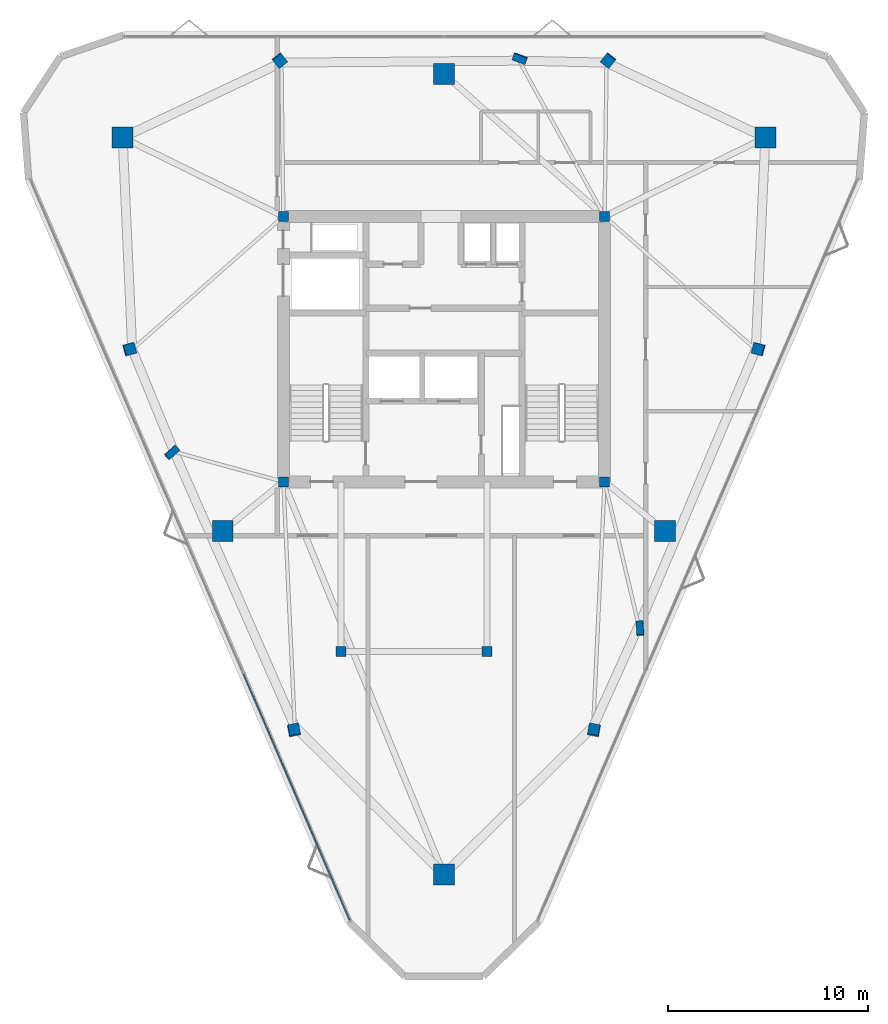
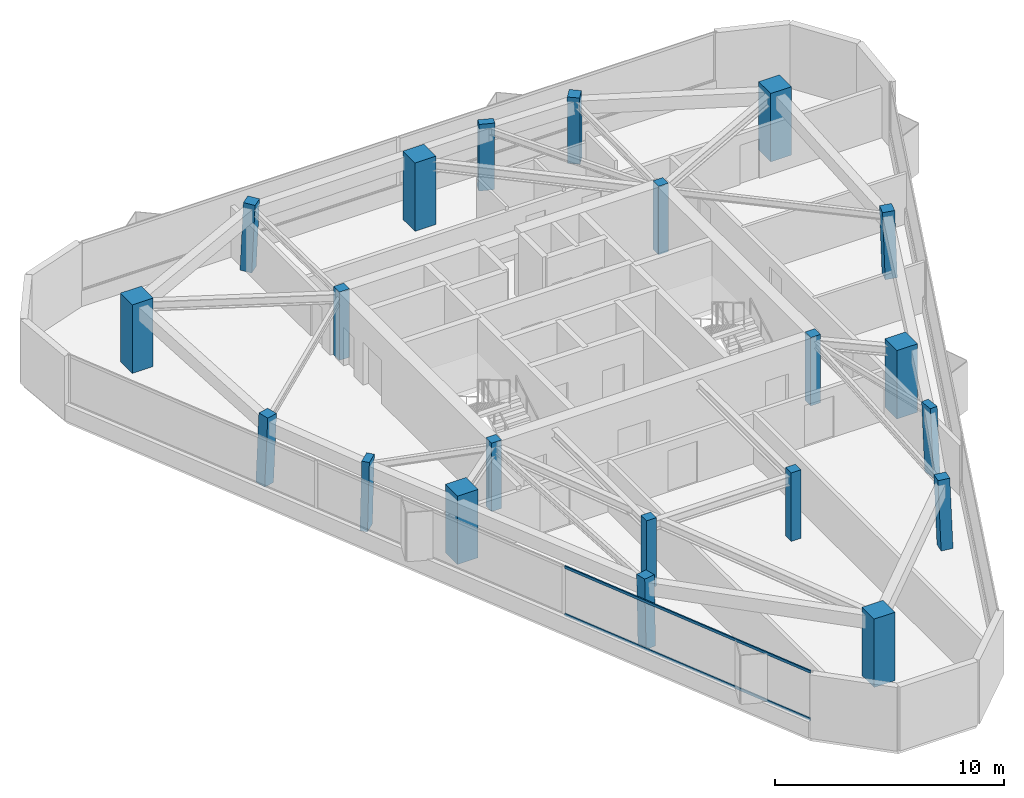
# One storey, part 1 of 9: 21 columns, 2 members, 1 element without a shape of its own.
"""IFC4 building model written with IfcOpenShell, lengths in metres."""

import ifcopenshell
import ifcopenshell.guid

model = None  # the IFC model being written
_history = None  # IfcOwnerHistory: only IFC2X3 demands one
_inside = {}  # id of a spatial element -> (the spatial element, [elements in it])
_under = {}  # id of a project, library or spatial element -> (it, [spatial elements below it])
_declared = {}  # id of a project -> (the project, [libraries it declares])
_typed = {}  # id of a type object -> (the type object, [elements of that type])
_made_of = {}  # id of a material, layer set ... -> (it, [elements and type objects made of it])


def new_model(schema):
    """Start an empty IFC model of exactly this schema.

    Asked for "IFC4X3", IfcOpenShell would pick the latest addendum, in which some entities
    have other attributes; the version numbers below select the first issue.
    IFC2X3 requires an IfcOwnerHistory on every rooted entity: one is made here for all.
    """
    global model, _history
    if schema == "IFC4X3":
        model = ifcopenshell.file(schema_version=(4, 3, 0, 0))
    else:
        model = ifcopenshell.file(schema=schema)
    _inside.clear()
    _under.clear()
    _declared.clear()
    _typed.clear()
    _made_of.clear()
    _history = None
    if model.schema == "IFC2X3":
        org = make("IfcOrganization", Name="unknown")
        user = make(
            "IfcPersonAndOrganization",
            ThePerson=make("IfcPerson", FamilyName="unknown"),
            TheOrganization=org,
        )
        app = make(
            "IfcApplication",
            ApplicationDeveloper=org,
            Version="unknown",
            ApplicationFullName="unknown",
            ApplicationIdentifier="unknown",
        )
        _history = make(
            "IfcOwnerHistory",
            OwningUser=user,
            OwningApplication=app,
            ChangeAction="ADDED",
            CreationDate=0,
        )
    return model


def make(cls, **values):
    """One entity of the class cls with the attributes given. An attribute that is None is left unset."""
    return model.create_entity(
        cls, **{name: value for name, value in values.items() if value is not None}
    )


def rooted(cls, **values):
    """An entity with a GlobalId (a new one), such as an element, a storey or a relation."""
    return make(cls, GlobalId=ifcopenshell.guid.new(), OwnerHistory=_history, **values)


def si_unit(unit_type, name, prefix=None):
    """IfcSIUnit, for example si_unit("LENGTHUNIT", "METRE", prefix="MILLI")."""
    return make("IfcSIUnit", UnitType=unit_type, Prefix=prefix, Name=name)


def assignment(units):
    """IfcUnitAssignment: the units of a project."""
    return None if units is None else make("IfcUnitAssignment", Units=units)


def point(xyz):
    """IfcCartesianPoint."""
    return None if xyz is None else make("IfcCartesianPoint", Coordinates=xyz)


def direction(xyz):
    """IfcDirection."""
    return None if xyz is None else make("IfcDirection", DirectionRatios=xyz)


def frame(location, z_axis=None, x_axis=None):
    """IfcAxis2Placement3D, a coordinate frame: its origin and axes. An axis left out is left unset."""
    return make(
        "IfcAxis2Placement3D",
        Location=point(location),
        Axis=direction(z_axis),
        RefDirection=direction(x_axis),
    )


def frame_2d(location, x_axis=None):
    """IfcAxis2Placement2D, a coordinate frame in the plane: its origin and x axis."""
    return make(
        "IfcAxis2Placement2D", Location=point(location), RefDirection=direction(x_axis)
    )


def origin():
    """The frame at (0, 0, 0) with its axes left unset."""
    return frame((0.0, 0.0, 0.0))


def origin_2d():
    """The frame at (0, 0) in the plane with its x axis left unset."""
    return frame_2d((0.0, 0.0))


def place(relative_to, where):
    """IfcLocalPlacement: puts the frame where relative to a parent placement (None: the world)."""
    return make(
        "IfcLocalPlacement", PlacementRelTo=relative_to, RelativePlacement=where
    )


def context(
    kind, dimensions, precision=None, world=None, true_north=None, identifier=None
):
    """IfcGeometricRepresentationContext, for example the 3D "Model" context."""
    return make(
        "IfcGeometricRepresentationContext",
        ContextIdentifier=identifier,
        ContextType=kind,
        CoordinateSpaceDimension=dimensions,
        Precision=precision,
        WorldCoordinateSystem=world,
        TrueNorth=true_north,
    )


def subcontext(parent, identifier, kind, view, scale=None):
    """IfcGeometricRepresentationSubContext, for example "Body" below "Model"."""
    return make(
        "IfcGeometricRepresentationSubContext",
        ContextIdentifier=identifier,
        ContextType=kind,
        ParentContext=parent,
        TargetScale=scale,
        TargetView=view,
    )


def project(units=None, contexts=None):
    """IfcProject with its units and contexts."""
    return rooted(
        "IfcProject",
        Name="project",
        RepresentationContexts=contexts,
        UnitsInContext=assignment(units),
    )


def spatial(cls, under=None, at=None, **own):
    """A site, building, storey or space (cls), placed at a placement, below another one or the project."""
    s = rooted(cls, ObjectPlacement=at, **own)
    if under is not None:
        _under.setdefault(under.id(), (under, []))[1].append(s)
    return s


def profile(cls, at=None, kind="AREA", **sizes):
    """A parametric profile (cls). Its sizes go by their IFC names, for example OverallWidth=200.0."""
    return make(cls, ProfileType=kind, Position=at, **sizes)


def rectangle(**sizes):
    """IfcRectangleProfileDef."""
    return profile("IfcRectangleProfileDef", **sizes)


def extrude(swept, where, along, depth):
    """IfcExtrudedAreaSolid: the profile swept, set in the frame where, extruded along a direction by depth."""
    return make(
        "IfcExtrudedAreaSolid",
        SweptArea=swept,
        Position=where,
        ExtrudedDirection=direction(along),
        Depth=depth,
    )


def shape(context_of_items, identifier, shape_type, items):
    """IfcShapeRepresentation: the items that make up one representation, for example the "Body"."""
    return make(
        "IfcShapeRepresentation",
        ContextOfItems=context_of_items,
        RepresentationIdentifier=identifier,
        RepresentationType=shape_type,
        Items=items,
    )


def material(Name=None, Category=None):
    """IfcMaterial."""
    return make("IfcMaterial", Name=Name, Category=Category)


def layer(
    of_material, thickness, ventilated=None, Name=None, Category=None, Priority=None
):
    """IfcMaterialLayer: one layer of a wall or slab, of a material (None: an air gap)."""
    return make(
        "IfcMaterialLayer",
        Material=of_material,
        LayerThickness=thickness,
        IsVentilated=ventilated,
        Name=Name,
        Category=Category,
        Priority=Priority,
    )


def layer_set(layers, Name=None):
    """IfcMaterialLayerSet."""
    return make("IfcMaterialLayerSet", MaterialLayers=layers, LayerSetName=Name)


def material_profile(
    of_material, cross_section, Name=None, Category=None, Priority=None
):
    """IfcMaterialProfile: a cross section and its material."""
    return make(
        "IfcMaterialProfile",
        Name=Name,
        Material=of_material,
        Profile=cross_section,
        Priority=Priority,
        Category=Category,
    )


def profile_set(profiles, Name=None, composite=None):
    """IfcMaterialProfileSet."""
    return make(
        "IfcMaterialProfileSet",
        Name=Name,
        MaterialProfiles=profiles,
        CompositeProfile=composite,
    )


def made_of(thing, what):
    """Note that an element or type object is made of a material, layer set ...; save() writes the relation."""
    if what is not None:
        _made_of.setdefault(what.id(), (what, []))[1].append(thing)
    return thing


def type_object(cls, material=None, **own):
    """A type object (cls), such as IfcWallType, which elements share."""
    return made_of(rooted(cls, **own), material)


def element(
    cls,
    number,
    at=None,
    inside=None,
    cuts=None,
    type_object=None,
    material=None,
    context=None,
    identifier="Body",
    shape_type=None,
    held_by="IfcProductDefinitionShape",
    body=None,
    shapes=None,
    **own,
):
    """One element of the class cls, such as IfcWall. Its Tag is "e" and its number.

    at: its placement. inside: the storey or other place that contains it. cuts: it is an
    opening in that element (IfcRelVoidsElement). A single representation is given by context,
    identifier, shape_type and body (its items); several are given by shapes. held_by: the class
    of the entity that holds the representations. save() writes the other relations.
    """
    e = rooted(cls, Tag="e%d" % number, ObjectPlacement=at, **own)
    if body is not None:
        shapes = [shape(context, identifier, shape_type, body)]
    if shapes is not None:
        e.Representation = make(held_by, Representations=shapes)
    if inside is not None:
        _inside.setdefault(inside.id(), (inside, []))[1].append(e)
    if cuts is not None:
        rooted(
            "IfcRelVoidsElement", RelatingBuildingElement=cuts, RelatedOpeningElement=e
        )
    if type_object is not None:
        _typed.setdefault(type_object.id(), (type_object, []))[1].append(e)
    return made_of(e, material)


def aggregate(whole, parts):
    """IfcRelAggregates: a whole, such as a stair, and the parts it consists of."""
    return rooted("IfcRelAggregates", RelatingObject=whole, RelatedObjects=parts)


def save(model, path):
    """Write the relations noted so far, then the file.

    IfcRelAggregates (storeys below a building ...), IfcRelContainedInSpatialStructure (elements
    in a storey), IfcRelDefinesByType, IfcRelAssociatesMaterial and IfcRelDeclares: one each for
    every whole, place, type object, material and project.
    """
    for whole, parts in _under.values():
        aggregate(whole, parts)
    for where, things in _inside.values():
        rooted(
            "IfcRelContainedInSpatialStructure",
            RelatedElements=things,
            RelatingStructure=where,
        )
    for kind, things in _typed.values():
        rooted("IfcRelDefinesByType", RelatedObjects=things, RelatingType=kind)
    for what, things in _made_of.values():
        rooted("IfcRelAssociatesMaterial", RelatedObjects=things, RelatingMaterial=what)
    for by, libraries in _declared.values():
        rooted("IfcRelDeclares", RelatingContext=by, RelatedDefinitions=libraries)
    model.write(path)


model = new_model("IFC4")

# Units and contexts
model_context = context("Model", 3, precision=1e-05, world=origin(), true_north=direction((0.0, 1.0)))
body_context = subcontext(model_context, "Body", "Model", "MODEL_VIEW")
ifc_project = project(units=[si_unit("LENGTHUNIT", "METRE"), si_unit("AREAUNIT", "SQUARE_METRE"), si_unit("VOLUMEUNIT", "CUBIC_METRE"), si_unit("PLANEANGLEUNIT", "RADIAN"), si_unit("MASSUNIT", "GRAM", prefix="KILO")], contexts=[model_context])

# Site, building, storey
site_placement = place(None, origin())
site = spatial("IfcSite", under=ifc_project, at=site_placement, CompositionType="ELEMENT")
building_placement = place(site_placement, origin())
building = spatial("IfcBuilding", under=site, at=building_placement, Name="Talyreon Biosciences Tower", CompositionType="ELEMENT")
storey_placement = place(building_placement, frame((0.0, 0.0, 298.39990234375)))
storey = spatial("IfcBuildingStorey", under=building, at=storey_placement, Name="L79", CompositionType="ELEMENT", Elevation=298.39990234375)

# Columns
ifc_material_1 = material(Name="Concrete C50/60", Category="concrete")
ifc_material_profile_1 = material_profile(ifc_material_1, rectangle(XDim=0.5, YDim=0.5, at=origin_2d()), Name="RC 500x500")
ifc_profile_set_1 = profile_set([ifc_material_profile_1], Name="Concrete C50/60")
column_type_1 = type_object("IfcColumnType", Name="CrownColumn_500", PredefinedType="COLUMN", material=ifc_profile_set_1)
for number, where, z_axis, x_axis, name in (
    (1, (57.949951171875, 61.35009765625, 0.0), (0.0, 0.0, 1.0), (1.0, 0.0, 0.0), "L79 Core Column CC1"),
    (2, (74.050048828125, 61.35009765625, 0.0), (0.0, 0.0, 1.0), (1.0, 0.0, 0.0), "L79 Core Column CC2"),
    (3, (74.050048828125, 74.64990234375, 0.0), (0.0, 0.0, 1.0), (1.0, 0.0, 0.0), "L79 Core Column CC3"),
    (4, (57.949951171875, 74.64990234375, 0.0), (0.0, 0.0, 1.0), (1.0, 0.0, 0.0), "L79 Core Column CC4"),
    (5, (60.85009765625, 52.840087890625, 0.0), (0.0, 0.0, 1.0), (1.0, 0.0, 0.0), "L79 Core Column CSW"),
    (6, (68.14990234375, 52.840087890625, 0.0), (0.0, 0.0, 1.0), (1.0, 0.0, 0.0), "L79 Core Column CSE"),
):
    element("IfcColumn", number, at=place(storey_placement, frame(where, z_axis=z_axis, x_axis=x_axis)), inside=storey, type_object=column_type_1, Name=name, PredefinedType="COLUMN", context=body_context, shape_type="SweptSolid", body=[
        extrude(rectangle(XDim=0.5, YDim=0.5, at=origin_2d()), origin(), (0.0, 0.0, 1.0), 3.650146484375),
    ])
ifc_material_2 = material(Name="Precast concrete C45/55", Category="concrete")
ifc_material_profile_2 = material_profile(ifc_material_2, rectangle(XDim=0.699951171875, YDim=0.35009765625, at=origin_2d()), Name="RC 700x350")
ifc_profile_set_2 = profile_set([ifc_material_profile_2], Name="Precast concrete C45/55")
column_type_2 = type_object("IfcColumnType", Name="FacadePilaster_700x350", PredefinedType="PILASTER", material=ifc_profile_set_2)
column_1_placement = place(storey_placement, frame((75.835205078125, 53.992919921875, 0.003173828125), z_axis=(-0.019544994213, 0.038420639309, 0.999070491845), x_axis=(0.062994570788, -0.997228627211, 0.039582181877)))
element("IfcColumn", 7, at=column_1_placement, inside=storey, type_object=column_type_2, Name="L79 Facade Pilaster PL-SE", PredefinedType="PILASTER", context=body_context, shape_type="SweptSolid", body=[
    extrude(rectangle(XDim=0.699951171875, YDim=0.35009765625, at=origin_2d()), origin(), (0.0, 0.0, 1.0), 3.6474609375),
])
column_2_placement = place(storey_placement, frame((69.804931640625, 82.578125, 0.003173828125), z_axis=(-0.01238655289, -0.033544124313, 0.999360478022), x_axis=(-0.9380871136, 0.346399433166, 0.0)))
element("IfcColumn", 8, at=column_2_placement, inside=storey, type_object=column_type_2, Name="L79 Facade Pilaster PL-N", PredefinedType="PILASTER", context=body_context, shape_type="SweptSolid", body=[
    extrude(rectangle(XDim=0.699951171875, YDim=0.35009765625, at=origin_2d()), origin(), (0.0, 0.0, 1.0), 3.646484375),
])
column_3_placement = place(storey_placement, frame((52.35986328125, 62.8154296875, 0.003173828125), z_axis=(0.032006431603, 0.010646490847, 0.99943095838), x_axis=(0.745817404071, 0.665429987704, -0.030973072973)))
element("IfcColumn", 9, at=column_3_placement, inside=storey, type_object=column_type_2, Name="L79 Facade Pilaster PL-SW", PredefinedType="PILASTER", context=body_context, shape_type="SweptSolid", body=[
    extrude(rectangle(XDim=0.699951171875, YDim=0.35009765625, at=origin_2d()), origin(), (0.0, 0.0, 1.0), 3.64599609375),
])
ifc_material_profile_3 = material_profile(ifc_material_1, rectangle(XDim=1.050048828125, YDim=1.050048828125, at=origin_2d()), Name="RC 1050x1050")
ifc_profile_set_3 = profile_set([ifc_material_profile_3], Name="Concrete C50/60")
column_type_3 = type_object("IfcColumnType", Name="MegaColumn_1050", PredefinedType="COLUMN", material=ifc_profile_set_3)
for number, where, z_axis, x_axis, name in (
    (10, (66.0, 41.6669921875, 0.0), (0.0, 0.0, 1.0), (1.0, 0.0, 0.0), "L79 Composite Mega-Column MC1"),
    (11, (82.102294921875, 78.5986328125, 0.0), (0.0, 0.0, 1.0), (1.0, 0.0, 0.0), "L79 Composite Mega-Column MC2"),
    (12, (49.897705078125, 78.5986328125, 0.0), (0.0, 0.0, 1.0), (1.0, 0.0, 0.0), "L79 Composite Mega-Column MC3"),
    (13, (77.086181640625, 58.88037109375, 0.0), (0.0, 0.0, 1.0), (1.0, 0.0, 0.0), "L79 Composite Mega-Column MC4"),
    (14, (66.0, 81.788818359375, 0.0), (0.0, 0.0, 1.0), (1.0, 0.0, 0.0), "L79 Composite Mega-Column MC5"),
    (15, (54.913818359375, 58.88037109375, 0.0), (0.0, 0.0, 1.0), (1.0, 0.0, 0.0), "L79 Composite Mega-Column MC6"),
):
    element("IfcColumn", number, at=place(storey_placement, frame(where, z_axis=z_axis, x_axis=x_axis)), inside=storey, type_object=column_type_3, Name=name, PredefinedType="COLUMN", context=body_context, shape_type="SweptSolid", body=[
        extrude(rectangle(XDim=1.050048828125, YDim=1.050048828125, at=origin_2d()), origin(), (0.0, 0.0, 1.0), 3.650146484375),
    ])
ifc_material_profile_4 = material_profile(ifc_material_1, rectangle(XDim=0.550048828125, YDim=0.550048828125, at=origin_2d()), Name="RC 550x550")
ifc_profile_set_4 = profile_set([ifc_material_profile_4], Name="Concrete C50/60")
column_type_4 = type_object("IfcColumnType", Name="PerimeterColumn_550", PredefinedType="COLUMN", material=ifc_profile_set_4)
column_4_placement = place(storey_placement, frame((73.523681640625, 48.885986328125, 0.003173828125), z_axis=(-0.012308168998, 0.054584053819, 0.998433317776), x_axis=(-0.184643255033, -0.981461645089, 0.051380031051)))
element("IfcColumn", 16, at=column_4_placement, inside=storey, type_object=column_type_4, Name="L79 Tapering Perimeter Column PC-SE1", PredefinedType="COLUMN", context=body_context, shape_type="SweptSolid", body=[
    extrude(rectangle(XDim=0.550048828125, YDim=0.550048828125, at=origin_2d()), origin(), (0.0, 0.0, 1.0), 3.649658203125),
])
column_5_placement = place(storey_placement, frame((81.767822265625, 68.001708984375, 0.003173828125), z_axis=(-0.03916266647, -0.005623357237, 0.999217025179), x_axis=(0.964497831359, -0.261579967368, 0.036329794592)))
element("IfcColumn", 17, at=column_5_placement, inside=storey, type_object=column_type_4, Name="L79 Tapering Perimeter Column PC-SE2", PredefinedType="COLUMN", context=body_context, shape_type="SweptSolid", body=[
    extrude(rectangle(XDim=0.550048828125, YDim=0.550048828125, at=origin_2d()), origin(), (0.0, 0.0, 1.0), 3.64697265625),
])
for number, where, z_axis, x_axis, name in (
    (18, (74.243896484375, 82.47802734375, 0.003173828125), (-0.026841076243, -0.033534611465, 0.999077067328), (-0.780716755404, 0.624885067698, 0.0), "L79 Tapering Perimeter Column PC-N1"),
    (19, (57.755859375, 82.47802734375, 0.003173828125), (0.026907963191, -0.033534551141, 0.999075270136), (-0.779956681152, -0.625833504637, 0.0), "L79 Tapering Perimeter Column PC-N2"),
):
    element("IfcColumn", number, at=place(storey_placement, frame(where, z_axis=z_axis, x_axis=x_axis)), inside=storey, type_object=column_type_4, Name=name, PredefinedType="COLUMN", context=body_context, shape_type="SweptSolid", body=[
        extrude(rectangle(XDim=0.550048828125, YDim=0.550048828125, at=origin_2d()), origin(), (0.0, 0.0, 1.0), 3.6474609375),
    ])
column_6_placement = place(storey_placement, frame((50.232177734375, 68.001708984375, 0.003173828125), z_axis=(0.03916266647, -0.005623357237, 0.999217025179), x_axis=(0.964497831359, 0.261579967368, -0.036329794592)))
element("IfcColumn", 20, at=column_6_placement, inside=storey, type_object=column_type_4, Name="L79 Tapering Perimeter Column PC-SW1", PredefinedType="COLUMN", context=body_context, shape_type="SweptSolid", body=[
    extrude(rectangle(XDim=0.550048828125, YDim=0.550048828125, at=origin_2d()), origin(), (0.0, 0.0, 1.0), 3.64697265625),
])
column_7_placement = place(storey_placement, frame((58.47607421875, 48.885986328125, 0.003173828125), z_axis=(0.012375051005, 0.054584008757, 0.998432493512), x_axis=(-0.1834990238, 0.981675513015, -0.051393534719)))
element("IfcColumn", 21, at=column_7_placement, inside=storey, type_object=column_type_4, Name="L79 Tapering Perimeter Column PC-SW2", PredefinedType="COLUMN", context=body_context, shape_type="SweptSolid", body=[
    extrude(rectangle(XDim=0.550048828125, YDim=0.550048828125, at=origin_2d()), origin(), (0.0, 0.0, 1.0), 3.649658203125),
])

# Curtain wall, members
ifc_material_3 = material(Name="Thermally broken aluminium and low-E glazing", Category="aluminium")
ifc_layer = layer(ifc_material_3, 0.175048828125)
ifc_layer_set = layer_set([ifc_layer], Name="Thermally broken aluminium and low-E glazing")
curtain_wall_type = type_object("IfcCurtainWallType", Name="CurtainWall_Zone5CompLab", PredefinedType="NOTDEFINED", material=ifc_layer_set)
curtain_wall_placement = place(storey_placement, origin())
curtain_wall = element("IfcCurtainWall", 22, at=curtain_wall_placement, inside=storey, type_object=curtain_wall_type, Name="L79 Unitised Curtain Wall FCW-L79-00", PredefinedType="NOTDEFINED")
ifc_material_4 = material(Name="Anodised thermally broken aluminium", Category="aluminium")
ifc_material_profile_5 = material_profile(ifc_material_4, rectangle(XDim=0.06494140625, YDim=0.139892578125, at=origin_2d()), Name="ALUM TRANSOM 65x140")
ifc_profile_set_5 = profile_set([ifc_material_profile_5], Name="Anodised thermally broken aluminium")
member_type = type_object("IfcMemberType", Name="CWTransom_65x140", PredefinedType="USERDEFINED", material=ifc_profile_set_5)
member_1_placement = place(storey_placement, frame((61.273193359375, 39.39892578125, 0.842529296875), z_axis=(-0.39614983923, 0.918185877085, 0.0), x_axis=(-0.918185877085, -0.39614983923, 0.0)))
member_1 = element("IfcMember", 23, at=member_1_placement, type_object=member_type, Name="CW6 transom 1.1", ObjectType="TRANSOM", PredefinedType="USERDEFINED", context=body_context, shape_type="SweptSolid", body=[
    extrude(rectangle(XDim=0.06494140625, YDim=0.139892578125, at=origin_2d()), origin(), (0.0, 0.0, 1.0), 13.401123046875),
])
member_2_placement = place(storey_placement, frame((61.273193359375, 39.39892578125, 3.36767578125), z_axis=(-0.39614983923, 0.918185877085, 0.0), x_axis=(-0.918185877085, -0.39614983923, 0.0)))
member_2 = element("IfcMember", 24, at=member_2_placement, type_object=member_type, Name="CW6 transom 1.2", ObjectType="TRANSOM", PredefinedType="USERDEFINED", context=body_context, shape_type="SweptSolid", body=[
    extrude(rectangle(XDim=0.06494140625, YDim=0.139892578125, at=origin_2d()), origin(), (0.0, 0.0, 1.0), 13.401123046875),
])
aggregate(curtain_wall, [member_1, member_2])

save(model, "model.ifc")
